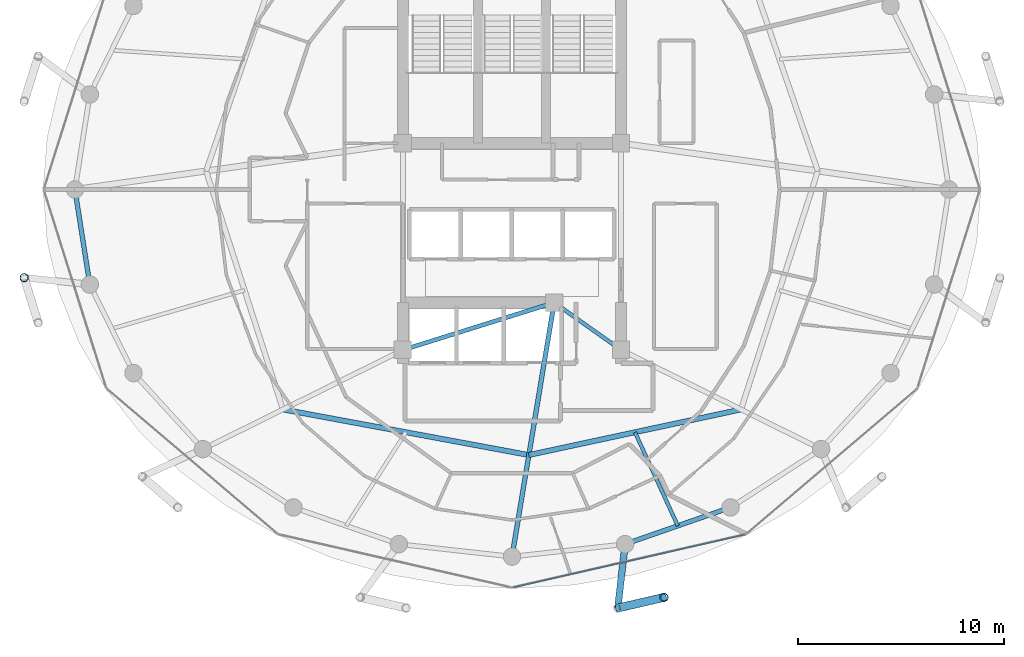
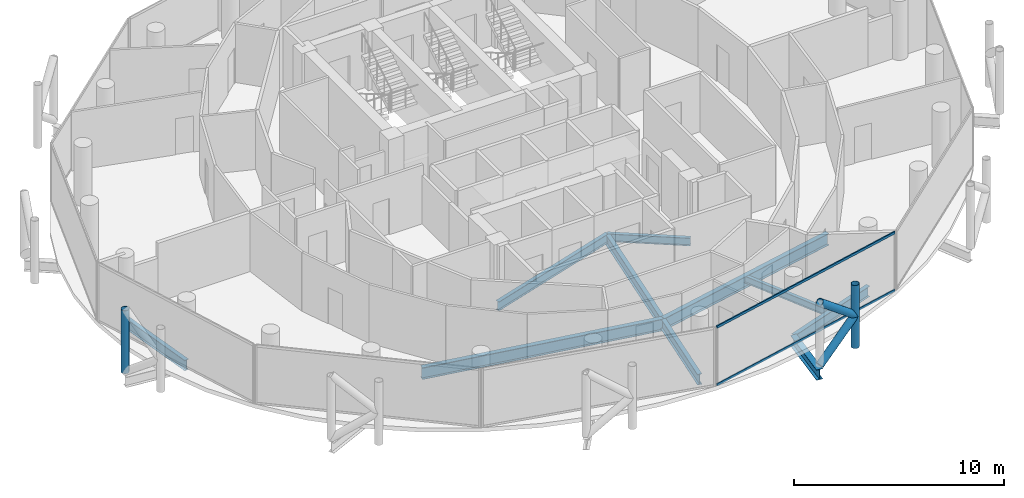
# One storey, part 6 of 27: 9 beams, 6 members, 1 element without a shape of its own.
"""IFC4 building model written with IfcOpenShell, lengths in metres."""

from ifc_helpers import new_model, si_unit, direction, frame, origin, origin_2d, place, context, subcontext, project, spatial, hollow_rectangle, hollow_circle, i_section, extrude, material, layer, layer_set, material_profile, profile_set, type_object, element, aggregate, save


model = new_model("IFC4")

# Units and contexts
model_context = context("Model", 3, precision=1e-05, world=origin(), true_north=direction((0.0, 1.0)))
body_context = subcontext(model_context, "Body", "Model", "MODEL_VIEW")
ifc_project = project(units=[si_unit("LENGTHUNIT", "METRE"), si_unit("AREAUNIT", "SQUARE_METRE"), si_unit("VOLUMEUNIT", "CUBIC_METRE"), si_unit("PLANEANGLEUNIT", "RADIAN"), si_unit("MASSUNIT", "GRAM", prefix="KILO")], contexts=[model_context])

# Site, building, storey
site_placement = place(None, origin())
site = spatial("IfcSite", under=ifc_project, at=site_placement, CompositionType="ELEMENT")
building_placement = place(site_placement, origin())
building = spatial("IfcBuilding", under=site, at=building_placement, Name="Nuhasar Tower", CompositionType="ELEMENT")
storey_placement = place(building_placement, frame((0.0, 0.0, 219.10009765625)))
storey = spatial("IfcBuildingStorey", under=building, at=storey_placement, Name="L53", CompositionType="ELEMENT", Elevation=219.10009765625)

# Beams
ifc_material_1 = material(Name="Steel S355", Category="steel")
ifc_material_profile_1 = material_profile(ifc_material_1, i_section(OverallWidth=0.25390625, OverallDepth=0.68408203125, WebThickness=0.012451171875, FlangeThickness=0.018798828125, at=origin_2d()), Name="W27X94")
ifc_profile_set_1 = profile_set([ifc_material_profile_1], Name="Steel S355")
beam_type_1 = type_object("IfcBeamType", Name="BM-INRING-W27X94", PredefinedType="BEAM", material=ifc_profile_set_1)
beam_1_placement = place(storey_placement, frame((27.864013671875, 16.10693359375, -0.58203125), z_axis=(0.983238439987, -0.182324354193, 0.0), x_axis=(0.182324354193, 0.983238439987, 0.0)))
element("IfcBeam", 1, at=beam_1_placement, inside=storey, type_object=beam_type_1, Name="L53 Inner Header Beam 01", PredefinedType="BEAM", context=body_context, shape_type="SweptSolid", body=[
    extrude(i_section(OverallWidth=0.25390625, OverallDepth=0.68408203125, WebThickness=0.012451171875, FlangeThickness=0.018798828125, at=origin_2d()), origin(), (0.0, 0.0, 1.0), 12.159912109375),
])
beam_2_placement = place(storey_placement, frame((39.820068359375, 13.889892578125, -0.58203125), z_axis=(0.977676275959, 0.210116870876, 0.0), x_axis=(-0.210116870876, 0.977676275959, 0.0)))
element("IfcBeam", 2, at=beam_2_placement, inside=storey, type_object=beam_type_1, Name="L53 Inner Header Beam 02", PredefinedType="BEAM", context=body_context, shape_type="SweptSolid", body=[
    extrude(i_section(OverallWidth=0.25390625, OverallDepth=0.68408203125, WebThickness=0.012451171875, FlangeThickness=0.018798828125, at=origin_2d()), origin(), (0.0, 0.0, 1.0), 10.551513671875),
])
ifc_material_profile_2 = material_profile(ifc_material_1, i_section(OverallWidth=0.177978515625, OverallDepth=0.406005859375, WebThickness=0.0078125, FlangeThickness=0.0126953125, at=origin_2d()), Name="W16X40")
ifc_profile_set_2 = profile_set([ifc_material_profile_2], Name="Steel S355")
beam_type_2 = type_object("IfcBeamType", Name="BM-JST-W16X40", PredefinedType="JOIST", material=ifc_profile_set_2)
beam_3_placement = place(storey_placement, frame((44.97802734375, 14.998046875, -0.443115234375), z_axis=(0.416562288184, -0.909107177434, 0.0), x_axis=(0.909107177434, 0.416562288184, 0.0)))
element("IfcBeam", 3, at=beam_3_placement, inside=storey, type_object=beam_type_2, Name="L53 Secondary Floor Joist 02", PredefinedType="JOIST", context=body_context, shape_type="SweptSolid", body=[
    extrude(i_section(OverallWidth=0.177978515625, OverallDepth=0.406005859375, WebThickness=0.0078125, FlangeThickness=0.0126953125, at=origin_2d()), origin(), (0.0, 0.0, 1.0), 5.0029296875),
])
ifc_material_profile_3 = material_profile(ifc_material_1, i_section(OverallWidth=0.18994140625, OverallDepth=0.45703125, WebThickness=0.009033203125, FlangeThickness=0.014404296875, at=origin_2d()), Name="W18X50")
ifc_profile_set_3 = profile_set([ifc_material_profile_3], Name="Steel S355")
beam_type_3 = type_object("IfcBeamType", Name="BM-RAD-W18X50", PredefinedType="BEAM", material=ifc_profile_set_3)
beam_4_placement = place(storey_placement, frame((41.050048828125, 21.300048828125, -0.468017578125), z_axis=(0.816265428953, -0.577677028708, 0.0), x_axis=(0.577677028708, 0.816265428953, 0.0)))
element("IfcBeam", 4, at=beam_4_placement, inside=storey, type_object=beam_type_3, Name="L53 Core Ring Girder 2", PredefinedType="BEAM", context=body_context, shape_type="SweptSolid", body=[
    extrude(i_section(OverallWidth=0.18994140625, OverallDepth=0.45703125, WebThickness=0.009033203125, FlangeThickness=0.014404296875, at=origin_2d()), origin(), (0.0, 0.0, 1.0), 3.9814453125),
])
ifc_material_profile_4 = material_profile(ifc_material_1, i_section(OverallWidth=0.208984375, OverallDepth=0.528076171875, WebThickness=0.009521484375, FlangeThickness=0.01318359375, at=origin_2d()), Name="W21X55")
ifc_profile_set_4 = profile_set([ifc_material_profile_4], Name="Steel S355")
beam_type_4 = type_object("IfcBeamType", Name="BM-RAD-W21X55", PredefinedType="BEAM", material=ifc_profile_set_4)
beam_5_placement = place(storey_placement, frame((33.699951171875, 19.0, -0.504150390625), z_axis=(0.954363709454, 0.298646798205, 0.0), x_axis=(-0.298646798205, 0.954363709454, 0.0)))
element("IfcBeam", 5, at=beam_5_placement, inside=storey, type_object=beam_type_4, Name="L53 Core Ring Girder 1", PredefinedType="BEAM", context=body_context, shape_type="SweptSolid", body=[
    extrude(i_section(OverallWidth=0.208984375, OverallDepth=0.528076171875, WebThickness=0.009521484375, FlangeThickness=0.01318359375, at=origin_2d()), origin(), (0.0, 0.0, 1.0), 7.70166015625),
])
ifc_material_profile_5 = material_profile(ifc_material_1, i_section(OverallWidth=0.22900390625, OverallDepth=0.612060546875, WebThickness=0.011962890625, FlangeThickness=0.01953125, at=origin_2d()), Name="W24X84")
ifc_profile_set_5 = profile_set([ifc_material_profile_5], Name="Steel S355")
beam_type_5 = type_object("IfcBeamType", Name="BM-RAD-W24X84", PredefinedType="BEAM", material=ifc_profile_set_5)
beam_6_placement = place(storey_placement, frame((41.050048828125, 21.300048828125, -0.546142578125), z_axis=(-0.163753822517, -0.98650123447, 0.0), x_axis=(0.98650123447, -0.163753822517, 0.0)))
element("IfcBeam", 6, at=beam_6_placement, inside=storey, type_object=beam_type_5, Name="L53 Radial Floor Girder 02", PredefinedType="BEAM", context=body_context, shape_type="SweptSolid", body=[
    extrude(i_section(OverallWidth=0.22900390625, OverallDepth=0.612060546875, WebThickness=0.011962890625, FlangeThickness=0.01953125, at=origin_2d()), origin(), (0.0, 0.0, 1.0), 12.51904296875),
])
ifc_material_profile_6 = material_profile(ifc_material_1, i_section(OverallWidth=0.22802734375, OverallDepth=0.60791015625, WebThickness=0.01123046875, FlangeThickness=0.017333984375, at=origin_2d()), Name="W24X76")
ifc_profile_set_6 = profile_set([ifc_material_profile_6], Name="Steel S355")
beam_type_6 = type_object("IfcBeamType", Name="BM-RING-W24X76", PredefinedType="SPANDREL", material=ifc_profile_set_6)
beam_7_placement = place(storey_placement, frame((17.75, 26.800048828125, -0.544189453125), z_axis=(0.154841886404, -0.987939264436, 0.0), x_axis=(0.987939264436, 0.154841886404, 0.0)))
element("IfcBeam", 7, at=beam_7_placement, inside=storey, type_object=beam_type_6, Name="L53 Perimeter Ring Spandrel 13", PredefinedType="SPANDREL", context=body_context, shape_type="SweptSolid", body=[
    extrude(i_section(OverallWidth=0.22802734375, OverallDepth=0.60791015625, WebThickness=0.01123046875, FlangeThickness=0.017333984375, at=origin_2d()), origin(), (0.0, 0.0, 1.0), 4.676513671875),
])
beam_8_placement = place(storey_placement, frame((44.5, 9.55810546875, -0.544189453125), z_axis=(0.944476764686, 0.328578211342, 0.0), x_axis=(-0.328578211342, 0.944476764686, 0.0)))
element("IfcBeam", 8, at=beam_8_placement, inside=storey, type_object=beam_type_6, Name="L53 Perimeter Ring Spandrel 20", PredefinedType="SPANDREL", context=body_context, shape_type="SweptSolid", body=[
    extrude(i_section(OverallWidth=0.22802734375, OverallDepth=0.60791015625, WebThickness=0.01123046875, FlangeThickness=0.017333984375, at=origin_2d()), origin(), (0.0, 0.0, 1.0), 5.42626953125),
])
ifc_material_profile_7 = material_profile(ifc_material_1, i_section(OverallWidth=0.323974609375, OverallDepth=0.611083984375, WebThickness=0.0126953125, FlangeThickness=0.01904296875, at=origin_2d()), Name="W24X104")
ifc_profile_set_7 = profile_set([ifc_material_profile_7], Name="Steel S355")
beam_type_7 = type_object("IfcBeamType", Name="BM-TIE-W24X104", PredefinedType="BEAM", material=ifc_profile_set_7)
beam_9_placement = place(storey_placement, frame((44.5, 9.55810546875, -0.545166015625), z_axis=(-0.114123371392, -0.993466585297, 0.0), x_axis=(0.993466585297, -0.114123371392, 0.0)))
element("IfcBeam", 9, at=beam_9_placement, inside=storey, type_object=beam_type_7, Name="L53 Exoskeleton Node Tie Beam 10", PredefinedType="BEAM", context=body_context, shape_type="SweptSolid", body=[
    extrude(i_section(OverallWidth=0.323974609375, OverallDepth=0.611083984375, WebThickness=0.0126953125, FlangeThickness=0.01904296875, at=origin_2d()), origin(), (0.0, 0.0, 1.0), 3.127685546875),
])

# Curtain wall, members
ifc_material_2 = material(Name="Aluminium 6063-T6", Category="aluminium")
ifc_layer = layer(ifc_material_2, 0.18994140625)
ifc_layer_set = layer_set([ifc_layer], Name="Aluminium 6063-T6")
curtain_wall_type = type_object("IfcCurtainWallType", Name="CW-Z3-RES", PredefinedType="NOTDEFINED", material=ifc_layer_set)
curtain_wall_placement = place(storey_placement, origin())
curtain_wall = element("IfcCurtainWall", 10, at=curtain_wall_placement, inside=storey, type_object=curtain_wall_type, Name="L53 Unitised Curtain Wall 10", PredefinedType="NOTDEFINED")
ifc_material_profile_8 = material_profile(ifc_material_2, hollow_rectangle(XDim=0.06494140625, YDim=0.139892578125, WallThickness=0.00439453125, at=origin_2d()), Name="CWT-4")
ifc_profile_set_8 = profile_set([ifc_material_profile_8], Name="Aluminium 6063-T6")
member_type_1 = type_object("IfcMemberType", Name="CW-TRN-S4", PredefinedType="USERDEFINED", material=ifc_profile_set_8)
member_1_placement = place(storey_placement, frame((39.0634765625, 7.454345703125, 0.032470703125), z_axis=(0.974989487479, 0.222250982686, 0.0), x_axis=(-0.222250982686, 0.974989487479, 0.0)))
member_1 = element("IfcMember", 11, at=member_1_placement, type_object=member_type_1, Name="CW-Z3 transom 1.1", ObjectType="TRANSOM", PredefinedType="USERDEFINED", context=body_context, shape_type="SweptSolid", body=[
    extrude(hollow_rectangle(XDim=0.06494140625, YDim=0.139892578125, WallThickness=0.00439453125, at=origin_2d()), origin(), (0.0, 0.0, 1.0), 11.541748046875),
])
member_2_placement = place(storey_placement, frame((39.0634765625, 7.454345703125, 3.37744140625), z_axis=(0.974989487479, 0.222250982686, 0.0), x_axis=(-0.222250982686, 0.974989487479, 0.0)))
member_2 = element("IfcMember", 12, at=member_2_placement, type_object=member_type_1, Name="CW-Z3 transom 1.2", ObjectType="TRANSOM", PredefinedType="USERDEFINED", context=body_context, shape_type="SweptSolid", body=[
    extrude(hollow_rectangle(XDim=0.06494140625, YDim=0.139892578125, WallThickness=0.00439453125, at=origin_2d()), origin(), (0.0, 0.0, 1.0), 11.541748046875),
])
aggregate(curtain_wall, [member_1, member_2])

# Members
ifc_material_3 = material(Name="Steel S460", Category="steel")
ifc_material_profile_9 = material_profile(ifc_material_3, hollow_circle(Radius=0.203125, WallThickness=0.01904296875, at=origin_2d()), Name="HSS406.4X19.1")
ifc_profile_set_9 = profile_set([ifc_material_profile_9], Name="Steel S460")
member_type_2 = type_object("IfcMemberType", Name="EXO-BRONZE-406", PredefinedType="BRACE", material=ifc_profile_set_9)
for number, where, z_axis, x_axis, name in (
    (13, (15.281982421875, 22.513916015625, 0.0), (0.0, 0.0, 1.0), (1.0, 0.0, 0.0), "L53 Exoskeleton Chord Column EC-07A"),
    (14, (46.384033203125, 6.967041015625, 0.0), (0.0, 0.0, 1.0), (1.0, 0.0, 0.0), "L53 Exoskeleton Chord Column EC-10B"),
):
    element("IfcMember", number, at=place(storey_placement, frame(where, z_axis=z_axis, x_axis=x_axis)), inside=storey, type_object=member_type_2, Name=name, PredefinedType="BRACE", context=body_context, shape_type="SweptSolid", body=[
        extrude(hollow_circle(Radius=0.203125, WallThickness=0.01904296875, at=origin_2d()), origin(), (0.0, 0.0, 1.0), 3.64990234375),
    ])
for number, where, z_axis, x_axis, name in (
    (15, (44.14306640625, 6.450927734375, 0.0), (0.76333158458, 0.175801609086, 0.621625841021), (-0.224433035437, 0.97448951385, 0.0), "L53 Bronze Diagrid Brace W1-10"),
    (16, (46.384033203125, 6.967041015625, 1.824951171875), (-0.76333158458, -0.175801609086, 0.621625841021), (0.224433035437, -0.97448951385, 0.0), "L53 Bronze Diagrid Brace W2-10"),
):
    element("IfcMember", number, at=place(storey_placement, frame(where, z_axis=z_axis, x_axis=x_axis)), inside=storey, type_object=member_type_2, Name=name, PredefinedType="BRACE", context=body_context, shape_type="SweptSolid", body=[
        extrude(hollow_circle(Radius=0.203125, WallThickness=0.01904296875, at=origin_2d()), origin(), (0.0, 0.0, 1.0), 2.935791015625),
    ])

save(model, "model.ifc")
